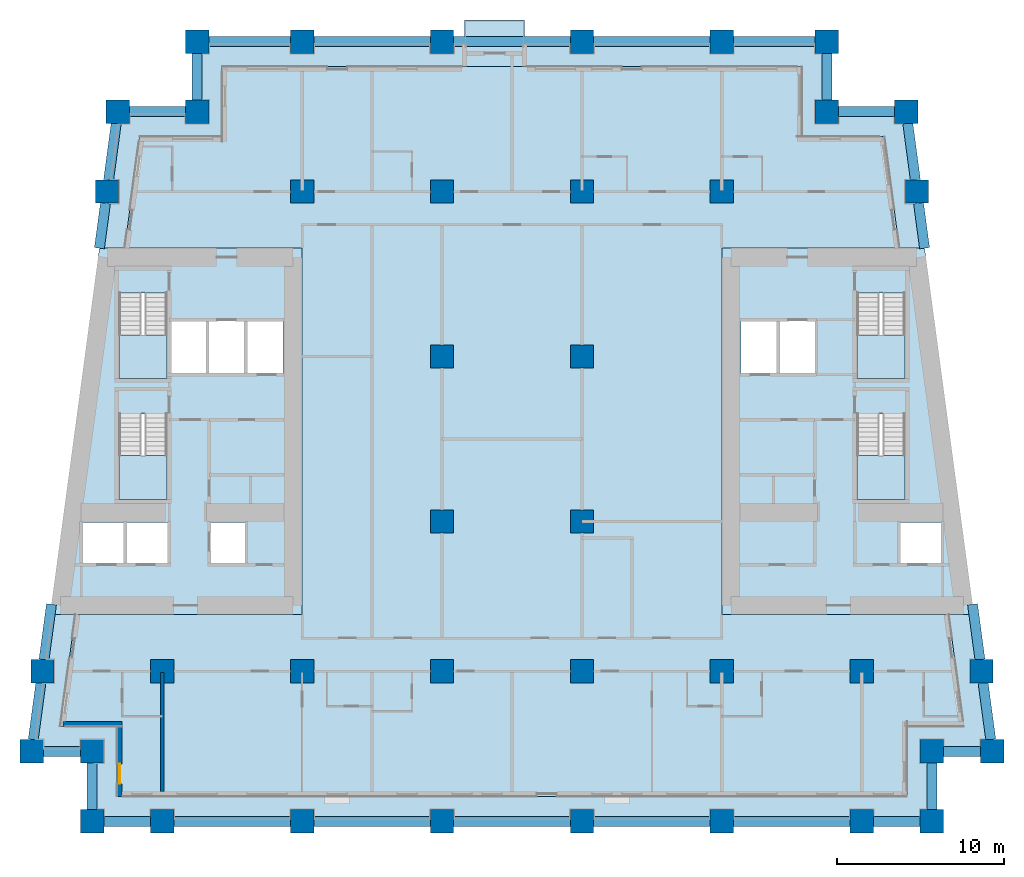
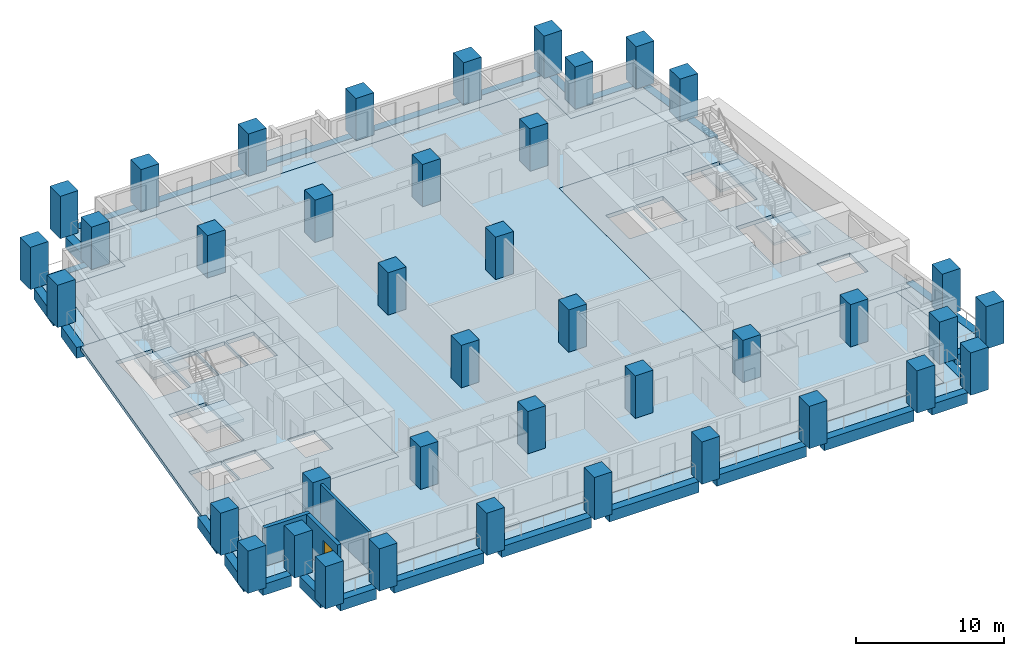
# One storey, part 1 of 12: 40 columns, 28 beams, 10 slabs, 3 walls, 1 door, 1 opening, 4 elements without a shape of their own.
"""IFC4 building model written with IfcOpenShell, lengths in metres."""

from ifc_helpers import new_model, si_unit, direction, frame, frame_2d, origin, origin_2d, place, context, subcontext, project, spatial, polyline, rectangle, outline, extrude, material, layer, layer_set, material_profile, profile_set, type_object, element, fill, aggregate, save


model = new_model("IFC4")

# Units and contexts
model_context = context("Model", 3, precision=1e-05, world=origin(), true_north=direction((0.0, 1.0)))
body_context = subcontext(model_context, "Body", "Model", "MODEL_VIEW")
ifc_project = project(units=[si_unit("LENGTHUNIT", "METRE"), si_unit("AREAUNIT", "SQUARE_METRE"), si_unit("VOLUMEUNIT", "CUBIC_METRE"), si_unit("PLANEANGLEUNIT", "RADIAN"), si_unit("MASSUNIT", "GRAM", prefix="KILO")], contexts=[model_context])

# Site, building, storey
site_placement = place(None, origin())
site = spatial("IfcSite", under=ifc_project, at=site_placement, CompositionType="ELEMENT")
building_placement = place(site_placement, origin())
building = spatial("IfcBuilding", under=site, at=building_placement, Name="Candeia Pilgrim Tower and Theatre", CompositionType="ELEMENT")
storey_placement = place(building_placement, frame((0.0, 0.0, 74.0)))
storey = spatial("IfcBuildingStorey", under=building, at=storey_placement, Name="L16", CompositionType="ELEMENT", Elevation=74.0)

# Columns
ifc_material_1 = material(Name="Concrete C80/95", Category="concrete")
ifc_material_profile_1 = material_profile(ifc_material_1, rectangle(XDim=1.39990234375, YDim=1.39990234375, at=origin_2d()))
ifc_profile_set_1 = profile_set([ifc_material_profile_1], Name="Concrete C80/95")
column_type = type_object("IfcColumnType", Name="RC 1400x1400 C80/95", PredefinedType="COLUMN", material=ifc_profile_set_1)
for number, where, z_axis, x_axis, name in (
    (1, (92.39990234375, 98.0, 0.0), (0.0, 0.0, 1.0), (1.0, 0.0, 0.0), "Column A1"),
    (2, (100.800048828125, 98.0, 0.0), (0.0, 0.0, 1.0), (1.0, 0.0, 0.0), "Column A2"),
    (3, (109.199951171875, 98.0, 0.0), (0.0, 0.0, 1.0), (1.0, 0.0, 0.0), "Column A3"),
    (4, (117.60009765625, 98.0, 0.0), (0.0, 0.0, 1.0), (1.0, 0.0, 0.0), "Column A4"),
    (5, (126.0, 98.0, 0.0), (0.0, 0.0, 1.0), (1.0, 0.0, 0.0), "Column A5"),
    (6, (134.39990234375, 98.0, 0.0), (0.0, 0.0, 1.0), (1.0, 0.0, 0.0), "Column A6"),
    (7, (88.199951171875, 98.0, 0.0), (0.0, 0.0, 1.0), (1.0, 0.0, 0.0), "Column AW"),
    (8, (138.60009765625, 98.0, 0.0), (0.0, 0.0, 1.0), (1.0, 0.0, 0.0), "Column AE"),
    (9, (88.199951171875, 102.199951171875, 0.0), (0.0, 0.0, 1.0), (1.0, 0.0, 0.0), "Column NSW"),
    (10, (138.60009765625, 102.199951171875, 0.0), (0.0, 0.0, 1.0), (1.0, 0.0, 0.0), "Column NSE"),
    (11, (94.5, 140.60009765625, 0.0), (0.0, 0.0, 1.0), (1.0, 0.0, 0.0), "Column NNW"),
    (12, (132.300048828125, 140.60009765625, 0.0), (0.0, 0.0, 1.0), (1.0, 0.0, 0.0), "Column NNE"),
    (13, (84.5654296875, 102.199951171875, 0.0), (0.0, 0.0, 1.0), (1.0, 0.0, 0.0), "Column LSW"),
    (14, (142.234619140625, 102.199951171875, 0.0), (0.0, 0.0, 1.0), (1.0, 0.0, 0.0), "Column LSE"),
    (15, (89.734619140625, 140.60009765625, 0.0), (0.0, 0.0, 1.0), (1.0, 0.0, 0.0), "Column LNW"),
    (16, (137.0654296875, 140.60009765625, 0.0), (0.0, 0.0, 1.0), (1.0, 0.0, 0.0), "Column LNE"),
    (17, (92.39990234375, 107.0, 0.0), (0.0, 0.0, 1.0), (1.0, 0.0, 0.0), "Column B1"),
    (18, (100.800048828125, 107.0, 0.0), (0.0, 0.0, 1.0), (1.0, 0.0, 0.0), "Column B2"),
    (19, (109.199951171875, 107.0, 0.0), (0.0, 0.0, 1.0), (1.0, 0.0, 0.0), "Column B3"),
    (20, (117.60009765625, 107.0, 0.0), (0.0, 0.0, 1.0), (1.0, 0.0, 0.0), "Column B4"),
    (21, (126.0, 107.0, 0.0), (0.0, 0.0, 1.0), (1.0, 0.0, 0.0), "Column B5"),
    (22, (134.39990234375, 107.0, 0.0), (0.0, 0.0, 1.0), (1.0, 0.0, 0.0), "Column B6"),
    (23, (85.21142578125, 107.0, 0.0), (0.0, 0.0, 1.0), (1.0, 0.0, 0.0), "Column BW"),
    (24, (141.58837890625, 107.0, 0.0), (0.0, 0.0, 1.0), (1.0, 0.0, 0.0), "Column BE"),
    (25, (109.199951171875, 116.0, 0.0), (0.0, 0.0, 1.0), (1.0, 0.0, 0.0), "Column C3"),
    (26, (117.60009765625, 116.0, 0.0), (0.0, 0.0, 1.0), (1.0, 0.0, 0.0), "Column C4"),
    (27, (109.199951171875, 125.89990234375, 0.0), (0.0, 0.0, 1.0), (1.0, 0.0, 0.0), "Column D3"),
    (28, (117.60009765625, 125.89990234375, 0.0), (0.0, 0.0, 1.0), (1.0, 0.0, 0.0), "Column D4"),
    (29, (100.800048828125, 135.800048828125, 0.0), (0.0, 0.0, 1.0), (1.0, 0.0, 0.0), "Column E2"),
    (30, (109.199951171875, 135.800048828125, 0.0), (0.0, 0.0, 1.0), (1.0, 0.0, 0.0), "Column E3"),
    (31, (117.60009765625, 135.800048828125, 0.0), (0.0, 0.0, 1.0), (1.0, 0.0, 0.0), "Column E4"),
    (32, (126.0, 135.800048828125, 0.0), (0.0, 0.0, 1.0), (1.0, 0.0, 0.0), "Column E5"),
    (33, (89.08837890625, 135.800048828125, 0.0), (0.0, 0.0, 1.0), (1.0, 0.0, 0.0), "Column EW"),
    (34, (137.71142578125, 135.800048828125, 0.0), (0.0, 0.0, 1.0), (1.0, 0.0, 0.0), "Column EE"),
    (35, (100.800048828125, 144.800048828125, 0.0), (0.0, 0.0, 1.0), (1.0, 0.0, 0.0), "Column F2"),
    (36, (109.199951171875, 144.800048828125, 0.0), (0.0, 0.0, 1.0), (1.0, 0.0, 0.0), "Column F3"),
    (37, (117.60009765625, 144.800048828125, 0.0), (0.0, 0.0, 1.0), (1.0, 0.0, 0.0), "Column F4"),
    (38, (126.0, 144.800048828125, 0.0), (0.0, 0.0, 1.0), (1.0, 0.0, 0.0), "Column F5"),
    (39, (94.5, 144.800048828125, 0.0), (0.0, 0.0, 1.0), (1.0, 0.0, 0.0), "Column FW"),
    (40, (132.300048828125, 144.800048828125, 0.0), (0.0, 0.0, 1.0), (1.0, 0.0, 0.0), "Column FE"),
):
    element("IfcColumn", number, at=place(storey_placement, frame(where, z_axis=z_axis, x_axis=x_axis)), inside=storey, type_object=column_type, Name=name, PredefinedType="COLUMN", context=body_context, shape_type="SweptSolid", body=[
        extrude(rectangle(XDim=1.39990234375, YDim=1.39990234375, at=origin_2d()), origin(), (0.0, 0.0, 1.0), 3.5),
    ])

# Beams
ifc_material_profile_2 = material_profile(ifc_material_1, rectangle(XDim=0.60009765625, YDim=0.89990234375, at=origin_2d()))
ifc_profile_set_2 = profile_set([ifc_material_profile_2], Name="Concrete C80/95")
beam_type = type_object("IfcBeamType", Name="RC 600x900 C80/95", PredefinedType="BEAM", material=ifc_profile_set_2)
beam_1_placement = place(storey_placement, frame((88.89990234375, 98.0, -0.449951171875), z_axis=(1.0, 0.0, 0.0), x_axis=(0.0, 1.0, 0.0)))
element("IfcBeam", 41, at=beam_1_placement, inside=storey, type_object=beam_type, Name="Spandrel beam L16-01", PredefinedType="BEAM", context=body_context, shape_type="SweptSolid", body=[
    extrude(rectangle(XDim=0.60009765625, YDim=0.89990234375, at=origin_2d()), origin(), (0.0, 0.0, 1.0), 2.800048828125),
])
for number, where, z_axis, x_axis, name in (
    (42, (93.10009765625, 98.0, -0.449951171875), (1.0, 0.0, 0.0), (0.0, 1.0, 0.0), "Spandrel beam L16-02"),
    (43, (101.5, 98.0, -0.449951171875), (1.0, 0.0, 0.0), (0.0, 1.0, 0.0), "Spandrel beam L16-03"),
    (44, (109.89990234375, 98.0, -0.449951171875), (1.0, 0.0, 0.0), (0.0, 1.0, 0.0), "Spandrel beam L16-04"),
    (45, (118.300048828125, 98.0, -0.449951171875), (1.0, 0.0, 0.0), (0.0, 1.0, 0.0), "Spandrel beam L16-05"),
    (46, (126.699951171875, 98.0, -0.449951171875), (1.0, 0.0, 0.0), (0.0, 1.0, 0.0), "Spandrel beam L16-06"),
):
    element("IfcBeam", number, at=place(storey_placement, frame(where, z_axis=z_axis, x_axis=x_axis)), inside=storey, type_object=beam_type, Name=name, PredefinedType="BEAM", context=body_context, shape_type="SweptSolid", body=[
        extrude(rectangle(XDim=0.60009765625, YDim=0.89990234375, at=origin_2d()), origin(), (0.0, 0.0, 1.0), 7.0),
    ])
beam_2_placement = place(storey_placement, frame((135.10009765625, 98.0, -0.449951171875), z_axis=(1.0, 0.0, 0.0), x_axis=(0.0, 1.0, 0.0)))
element("IfcBeam", 47, at=beam_2_placement, inside=storey, type_object=beam_type, Name="Spandrel beam L16-07", PredefinedType="BEAM", context=body_context, shape_type="SweptSolid", body=[
    extrude(rectangle(XDim=0.60009765625, YDim=0.89990234375, at=origin_2d()), origin(), (0.0, 0.0, 1.0), 2.7998046875),
])
beam_3_placement = place(storey_placement, frame((138.60009765625, 98.699951171875, -0.449951171875), z_axis=(0.0, 1.0, 0.0), x_axis=(-1.0, 0.0, 0.0)))
element("IfcBeam", 48, at=beam_3_placement, inside=storey, type_object=beam_type, Name="Spandrel beam L16-08", PredefinedType="BEAM", context=body_context, shape_type="SweptSolid", body=[
    extrude(rectangle(XDim=0.60009765625, YDim=0.89990234375, at=origin_2d()), origin(), (0.0, 0.0, 1.0), 2.800048828125),
])
beam_4_placement = place(storey_placement, frame((139.300048828125, 102.199951171875, -0.449951171875), z_axis=(1.0, 0.0, 0.0), x_axis=(0.0, 1.0, 0.0)))
element("IfcBeam", 49, at=beam_4_placement, inside=storey, type_object=beam_type, Name="Spandrel beam L16-09", PredefinedType="BEAM", context=body_context, shape_type="SweptSolid", body=[
    extrude(rectangle(XDim=0.60009765625, YDim=0.89990234375, at=origin_2d()), origin(), (0.0, 0.0, 1.0), 2.234619140625),
])
beam_5_placement = place(storey_placement, frame((142.140380859375, 102.89990234375, -0.449951171875), z_axis=(-0.133426797477, 0.991058671177, 0.0), x_axis=(-0.991058671177, -0.133426797477, 0.0)))
element("IfcBeam", 50, at=beam_5_placement, inside=storey, type_object=beam_type, Name="Spandrel beam L16-10", PredefinedType="BEAM", context=body_context, shape_type="SweptSolid", body=[
    extrude(rectangle(XDim=0.60009765625, YDim=0.89990234375, at=origin_2d()), origin(), (0.0, 0.0, 1.0), 3.430908203125),
])
beam_6_placement = place(storey_placement, frame((141.494140625, 107.699951171875, -0.449951171875), z_axis=(-0.13337488337, 0.991065659019, 0.0), x_axis=(-0.991065659019, -0.13337488337, 0.0)))
element("IfcBeam", 51, at=beam_6_placement, inside=storey, type_object=beam_type, Name="Spandrel beam L16-11", PredefinedType="BEAM", context=body_context, shape_type="SweptSolid", body=[
    extrude(rectangle(XDim=0.60009765625, YDim=0.89990234375, at=origin_2d()), origin(), (0.0, 0.0, 1.0), 3.353515625),
])
beam_7_placement = place(storey_placement, frame((138.169189453125, 132.39990234375, -0.449951171875), z_axis=(-0.133425552527, 0.991058838784, 0.0), x_axis=(-0.991058838784, -0.133425552527, 0.0)))
element("IfcBeam", 52, at=beam_7_placement, inside=storey, type_object=beam_type, Name="Spandrel beam L16-12", PredefinedType="BEAM", context=body_context, shape_type="SweptSolid", body=[
    extrude(rectangle(XDim=0.60009765625, YDim=0.89990234375, at=origin_2d()), origin(), (0.0, 0.0, 1.0), 2.724609375),
])
beam_8_placement = place(storey_placement, frame((137.6171875, 136.5, -0.449951171875), z_axis=(-0.13336630817, 0.991066813008, 0.0), x_axis=(-0.991066813008, -0.13336630817, 0.0)))
element("IfcBeam", 53, at=beam_8_placement, inside=storey, type_object=beam_type, Name="Spandrel beam L16-13", PredefinedType="BEAM", context=body_context, shape_type="SweptSolid", body=[
    extrude(rectangle(XDim=0.60009765625, YDim=0.89990234375, at=origin_2d()), origin(), (0.0, 0.0, 1.0), 3.4306640625),
])
beam_9_placement = place(storey_placement, frame((136.365478515625, 140.60009765625, -0.449951171875), z_axis=(-1.0, 0.0, 0.0), x_axis=(0.0, -1.0, 0.0)))
element("IfcBeam", 54, at=beam_9_placement, inside=storey, type_object=beam_type, Name="Spandrel beam L16-14", PredefinedType="BEAM", context=body_context, shape_type="SweptSolid", body=[
    extrude(rectangle(XDim=0.60009765625, YDim=0.89990234375, at=origin_2d()), origin(), (0.0, 0.0, 1.0), 3.365478515625),
])
beam_10_placement = place(storey_placement, frame((132.300048828125, 141.300048828125, -0.449951171875), z_axis=(0.0, 1.0, 0.0), x_axis=(-1.0, 0.0, 0.0)))
element("IfcBeam", 55, at=beam_10_placement, inside=storey, type_object=beam_type, Name="Spandrel beam L16-15", PredefinedType="BEAM", context=body_context, shape_type="SweptSolid", body=[
    extrude(rectangle(XDim=0.60009765625, YDim=0.89990234375, at=origin_2d()), origin(), (0.0, 0.0, 1.0), 2.800048828125),
])
beam_11_placement = place(storey_placement, frame((131.60009765625, 144.800048828125, -0.449951171875), z_axis=(-1.0, 0.0, 0.0), x_axis=(0.0, -1.0, 0.0)))
element("IfcBeam", 56, at=beam_11_placement, inside=storey, type_object=beam_type, Name="Spandrel beam L16-16", PredefinedType="BEAM", context=body_context, shape_type="SweptSolid", body=[
    extrude(rectangle(XDim=0.60009765625, YDim=0.89990234375, at=origin_2d()), origin(), (0.0, 0.0, 1.0), 4.900146484375),
])
for number, where, z_axis, x_axis, name in (
    (57, (125.300048828125, 144.800048828125, -0.449951171875), (-1.0, 0.0, 0.0), (0.0, -1.0, 0.0), "Spandrel beam L16-17"),
    (58, (116.89990234375, 144.800048828125, -0.449951171875), (-1.0, 0.0, 0.0), (0.0, -1.0, 0.0), "Spandrel beam L16-18"),
    (59, (108.5, 144.800048828125, -0.449951171875), (-1.0, 0.0, 0.0), (0.0, -1.0, 0.0), "Spandrel beam L16-19"),
):
    element("IfcBeam", number, at=place(storey_placement, frame(where, z_axis=z_axis, x_axis=x_axis)), inside=storey, type_object=beam_type, Name=name, PredefinedType="BEAM", context=body_context, shape_type="SweptSolid", body=[
        extrude(rectangle(XDim=0.60009765625, YDim=0.89990234375, at=origin_2d()), origin(), (0.0, 0.0, 1.0), 7.0),
    ])
beam_12_placement = place(storey_placement, frame((100.10009765625, 144.800048828125, -0.449951171875), z_axis=(-1.0, 0.0, 0.0), x_axis=(0.0, -1.0, 0.0)))
element("IfcBeam", 60, at=beam_12_placement, inside=storey, type_object=beam_type, Name="Spandrel beam L16-20", PredefinedType="BEAM", context=body_context, shape_type="SweptSolid", body=[
    extrude(rectangle(XDim=0.60009765625, YDim=0.89990234375, at=origin_2d()), origin(), (0.0, 0.0, 1.0), 4.900146484375),
])
beam_13_placement = place(storey_placement, frame((94.5, 144.10009765625, -0.449951171875), z_axis=(0.0, -1.0, 0.0), x_axis=(1.0, 0.0, 0.0)))
element("IfcBeam", 61, at=beam_13_placement, inside=storey, type_object=beam_type, Name="Spandrel beam L16-21", PredefinedType="BEAM", context=body_context, shape_type="SweptSolid", body=[
    extrude(rectangle(XDim=0.60009765625, YDim=0.89990234375, at=origin_2d()), origin(), (0.0, 0.0, 1.0), 2.800048828125),
])
beam_14_placement = place(storey_placement, frame((93.800048828125, 140.60009765625, -0.449951171875), z_axis=(-1.0, 0.0, 0.0), x_axis=(0.0, -1.0, 0.0)))
element("IfcBeam", 62, at=beam_14_placement, inside=storey, type_object=beam_type, Name="Spandrel beam L16-22", PredefinedType="BEAM", context=body_context, shape_type="SweptSolid", body=[
    extrude(rectangle(XDim=0.60009765625, YDim=0.89990234375, at=origin_2d()), origin(), (0.0, 0.0, 1.0), 3.365478515625),
])
beam_15_placement = place(storey_placement, frame((89.640380859375, 139.89990234375, -0.449951171875), z_axis=(-0.133436208017, -0.991057404185, 0.0), x_axis=(0.991057404185, -0.133436208017, 0.0)))
element("IfcBeam", 63, at=beam_15_placement, inside=storey, type_object=beam_type, Name="Spandrel beam L16-23", PredefinedType="BEAM", context=body_context, shape_type="SweptSolid", body=[
    extrude(rectangle(XDim=0.60009765625, YDim=0.89990234375, at=origin_2d()), origin(), (0.0, 0.0, 1.0), 3.4306640625),
])
beam_16_placement = place(storey_placement, frame((88.994140625, 135.10009765625, -0.449951171875), z_axis=(-0.133337538686, -0.991070684047, 0.0), x_axis=(0.991070684047, -0.133337538686, 0.0)))
element("IfcBeam", 64, at=beam_16_placement, inside=storey, type_object=beam_type, Name="Spandrel beam L16-24", PredefinedType="BEAM", context=body_context, shape_type="SweptSolid", body=[
    extrude(rectangle(XDim=0.60009765625, YDim=0.89990234375, at=origin_2d()), origin(), (0.0, 0.0, 1.0), 2.724609375),
])
beam_17_placement = place(storey_placement, frame((85.753173828125, 111.0234375, -0.449951171875), z_axis=(-0.133446390132, -0.991056033209, 0.0), x_axis=(0.991056033209, -0.133446390132, 0.0)))
element("IfcBeam", 65, at=beam_17_placement, inside=storey, type_object=beam_type, Name="Spandrel beam L16-25", PredefinedType="BEAM", context=body_context, shape_type="SweptSolid", body=[
    extrude(rectangle(XDim=0.60009765625, YDim=0.89990234375, at=origin_2d()), origin(), (0.0, 0.0, 1.0), 3.353515625),
])
beam_18_placement = place(storey_placement, frame((85.1171875, 106.300048828125, -0.449951171875), z_axis=(-0.133356902381, -0.991068078685, 0.0), x_axis=(0.991068078685, -0.133356902381, 0.0)))
element("IfcBeam", 66, at=beam_18_placement, inside=storey, type_object=beam_type, Name="Spandrel beam L16-26", PredefinedType="BEAM", context=body_context, shape_type="SweptSolid", body=[
    extrude(rectangle(XDim=0.60009765625, YDim=0.89990234375, at=origin_2d()), origin(), (0.0, 0.0, 1.0), 3.430908203125),
])
beam_19_placement = place(storey_placement, frame((85.265380859375, 102.199951171875, -0.449951171875), z_axis=(1.0, 0.0, 0.0), x_axis=(0.0, 1.0, 0.0)))
element("IfcBeam", 67, at=beam_19_placement, inside=storey, type_object=beam_type, Name="Spandrel beam L16-27", PredefinedType="BEAM", context=body_context, shape_type="SweptSolid", body=[
    extrude(rectangle(XDim=0.60009765625, YDim=0.89990234375, at=origin_2d()), origin(), (0.0, 0.0, 1.0), 2.234619140625),
])
beam_20_placement = place(storey_placement, frame((88.199951171875, 101.5, -0.449951171875), z_axis=(0.0, -1.0, 0.0), x_axis=(1.0, 0.0, 0.0)))
element("IfcBeam", 68, at=beam_20_placement, inside=storey, type_object=beam_type, Name="Spandrel beam L16-28", PredefinedType="BEAM", context=body_context, shape_type="SweptSolid", body=[
    extrude(rectangle(XDim=0.60009765625, YDim=0.89990234375, at=origin_2d()), origin(), (0.0, 0.0, 1.0), 2.800048828125),
])

# Slabs
ifc_material_2 = material(Name="Concrete C40/50", Category="concrete")
ifc_layer_1 = layer(ifc_material_2, 0.25)
ifc_layer_set_1 = layer_set([ifc_layer_1], Name="BK1 balcony slab 250")
slab_type_1 = type_object("IfcSlabType", Name="BK1 balcony slab 250", PredefinedType="USERDEFINED", material=ifc_layer_set_1)
slab_1_placement = place(storey_placement, frame((0.0, 0.0, -0.25)))
element("IfcSlab", 69, at=slab_1_placement, inside=storey, type_object=slab_type_1, Name="Balcony L16", ObjectType="BALCONY", PredefinedType="USERDEFINED", context=body_context, shape_type="SweptSolid", body=[
    extrude(outline(polyline([(110.550048828125, 144.5), (114.14990234375, 144.5), (114.14990234375, 146.10009765625), (110.550048828125, 146.10009765625), (110.550048828125, 144.5)])), origin(), (0.0, 0.0, 1.0), 0.25),
])
ifc_material_3 = material(Name="Concrete C60/75", Category="concrete")
ifc_layer_2 = layer(ifc_material_3, 0.320068359375)
ifc_layer_set_2 = layer_set([ifc_layer_2], Name="FS-CORE 320 core floor")
slab_type_2 = type_object("IfcSlabType", Name="FS-CORE 320 core floor", PredefinedType="FLOOR", material=ifc_layer_set_2)
slab_2_placement = place(storey_placement, frame((0.0, 0.0, -0.320068359375)))
element("IfcSlab", 70, at=slab_2_placement, inside=storey, type_object=slab_type_2, Name="Core floor W L16", PredefinedType="FLOOR", context=body_context, shape_type="SweptSolid", body=[
    extrude(outline(polyline([(100.800048828125, 132.39990234375), (100.800048828125, 110.39990234375), (85.669189453125, 110.39990234375), (88.630859375, 132.39990234375), (100.800048828125, 132.39990234375)]), holes=[polyline([(97.458984375, 128.050048828125), (97.458984375, 124.85009765625), (99.64990234375, 124.85009765625), (99.64990234375, 128.050048828125), (97.458984375, 128.050048828125)]), polyline([(95.277099609375, 115.949951171875), (95.277099609375, 113.449951171875), (97.41357421875, 113.449951171875), (97.41357421875, 115.949951171875), (95.277099609375, 115.949951171875)]), polyline([(95.16796875, 128.050048828125), (95.16796875, 124.85009765625), (97.35888671875, 124.85009765625), (97.35888671875, 128.050048828125), (95.16796875, 128.050048828125)]), polyline([(92.876953125, 128.050048828125), (92.876953125, 124.85009765625), (95.068115234375, 124.85009765625), (95.068115234375, 128.050048828125), (92.876953125, 128.050048828125)]), polyline([(90.228515625, 115.949951171875), (90.228515625, 113.449951171875), (92.777099609375, 113.449951171875), (92.777099609375, 115.949951171875), (90.228515625, 115.949951171875)]), polyline([(89.802001953125, 122.455078125), (89.802001953125, 117.324951171875), (92.701904296875, 117.324951171875), (92.701904296875, 122.455078125), (89.802001953125, 122.455078125)]), polyline([(89.802001953125, 129.705078125), (89.802001953125, 124.574951171875), (92.701904296875, 124.574951171875), (92.701904296875, 129.705078125), (89.802001953125, 129.705078125)]), polyline([(87.580078125, 115.949951171875), (87.580078125, 113.449951171875), (90.12841796875, 113.449951171875), (90.12841796875, 115.949951171875), (87.580078125, 115.949951171875)])]), origin(), (0.0, 0.0, 1.0), 0.320068359375),
])
slab_3_placement = place(storey_placement, frame((0.0, 0.0, -0.320068359375)))
element("IfcSlab", 71, at=slab_3_placement, inside=storey, type_object=slab_type_2, Name="Core floor E L16", PredefinedType="FLOOR", context=body_context, shape_type="SweptSolid", body=[
    extrude(outline(polyline([(138.169189453125, 132.39990234375), (141.130859375, 110.39990234375), (126.0, 110.39990234375), (126.0, 132.39990234375), (138.169189453125, 132.39990234375)]), holes=[polyline([(136.67138671875, 115.949951171875), (136.67138671875, 113.449951171875), (139.219970703125, 113.449951171875), (139.219970703125, 115.949951171875), (136.67138671875, 115.949951171875)]), polyline([(134.097900390625, 117.324951171875), (136.998046875, 117.324951171875), (136.998046875, 122.455078125), (134.097900390625, 122.455078125), (134.097900390625, 117.324951171875)]), polyline([(134.097900390625, 129.705078125), (134.097900390625, 124.574951171875), (136.998046875, 124.574951171875), (136.998046875, 129.705078125), (134.097900390625, 129.705078125)]), polyline([(131.632080078125, 128.050048828125), (129.44091796875, 128.050048828125), (129.44091796875, 124.85009765625), (131.632080078125, 124.85009765625), (131.632080078125, 128.050048828125)]), polyline([(127.14990234375, 128.050048828125), (127.14990234375, 124.85009765625), (129.341064453125, 124.85009765625), (129.341064453125, 128.050048828125), (127.14990234375, 128.050048828125)])]), origin(), (0.0, 0.0, 1.0), 0.320068359375),
])
ifc_material_4 = material(Name="Concrete C50/60", Category="concrete")
ifc_layer_3 = layer(ifc_material_4, 0.320068359375)
ifc_layer_set_3 = layer_set([ifc_layer_3], Name="Floor slab 320 C50/60")
slab_type_3 = type_object("IfcSlabType", Name="Floor slab 320 C50/60", PredefinedType="FLOOR", material=ifc_layer_set_3)
slab_4_placement = place(storey_placement, frame((0.0, 0.0, -0.320068359375)))
element("IfcSlab", 72, at=slab_4_placement, inside=storey, type_object=slab_type_3, Name="Floor slab L16", PredefinedType="FLOOR", context=body_context, shape_type="SweptSolid", body=[
    extrude(outline(polyline([(96.0, 139.10009765625), (96.0, 143.300048828125), (130.800048828125, 143.300048828125), (130.800048828125, 139.10009765625), (135.753662109375, 139.10009765625), (136.65576171875, 132.39990234375), (126.0, 132.39990234375), (126.0, 110.39990234375), (139.6171875, 110.39990234375), (140.51904296875, 103.699951171875), (137.10009765625, 103.699951171875), (137.10009765625, 99.5), (89.699951171875, 99.5), (89.699951171875, 103.699951171875), (86.28076171875, 103.699951171875), (87.182861328125, 110.39990234375), (100.800048828125, 110.39990234375), (100.800048828125, 132.39990234375), (90.144287109375, 132.39990234375), (91.046142578125, 139.10009765625), (96.0, 139.10009765625)])), origin(), (0.0, 0.0, 1.0), 0.320068359375),
])
ifc_layer_4 = layer(ifc_material_2, 0.25)
ifc_layer_set_4 = layer_set([ifc_layer_4], Name="Loggia slab 250 C40/50")
slab_type_4 = type_object("IfcSlabType", Name="Loggia slab 250 C40/50", PredefinedType="FLOOR", material=ifc_layer_set_4)
slab_5_placement = place(storey_placement, frame((0.0, 0.0, -0.25)))
element("IfcSlab", 73, at=slab_5_placement, inside=storey, type_object=slab_type_4, Name="Loggia slab L16 1", PredefinedType="FLOOR", context=body_context, shape_type="SweptSolid", body=[
    extrude(outline(polyline([(87.182861328125, 110.39990234375), (86.28076171875, 103.699951171875), (89.699951171875, 103.699951171875), (89.699951171875, 99.5), (137.10009765625, 99.5), (137.10009765625, 103.699951171875), (140.51904296875, 103.699951171875), (139.6171875, 110.39990234375), (140.828125, 110.39990234375), (141.8916015625, 102.5), (138.300048828125, 102.5), (138.300048828125, 98.300048828125), (88.5, 98.300048828125), (88.5, 102.5), (84.908447265625, 102.5), (85.971923828125, 110.39990234375), (87.182861328125, 110.39990234375)])), origin(), (0.0, 0.0, 1.0), 0.25),
])
slab_6_placement = place(storey_placement, frame((0.0, 0.0, -0.25)))
element("IfcSlab", 74, at=slab_6_placement, inside=storey, type_object=slab_type_4, Name="Loggia slab L16 2", PredefinedType="FLOOR", context=body_context, shape_type="SweptSolid", body=[
    extrude(outline(polyline([(136.65576171875, 132.39990234375), (135.753662109375, 139.10009765625), (130.800048828125, 139.10009765625), (130.800048828125, 143.300048828125), (96.0, 143.300048828125), (96.0, 139.10009765625), (91.046142578125, 139.10009765625), (90.144287109375, 132.39990234375), (88.93359375, 132.39990234375), (89.996826171875, 140.300048828125), (94.800048828125, 140.300048828125), (94.800048828125, 144.5), (132.0, 144.5), (132.0, 140.300048828125), (136.802978515625, 140.300048828125), (137.866455078125, 132.39990234375), (136.65576171875, 132.39990234375)])), origin(), (0.0, 0.0, 1.0), 0.25),
])

# Stair, slab
stair_type = type_object("IfcStairType", Name="ST-TWR dog-leg escape stair", PredefinedType="HALF_TURN_STAIR", material=ifc_material_2)
stair_1_placement = place(storey_placement, origin())
stair_1 = element("IfcStair", 75, at=stair_1_placement, inside=storey, type_object=stair_type, Name="L16 Escape stair ST1", PredefinedType="HALF_TURN_STAIR")
ifc_layer_5 = layer(ifc_material_2, 0.199951171875)
ifc_layer_set_5 = layer_set([ifc_layer_5], Name="SL-LANDING stair landing")
slab_type_5 = type_object("IfcSlabType", Name="SL-LANDING stair landing", PredefinedType="LANDING", material=ifc_layer_set_5)
slab_7_placement = place(storey_placement, frame((0.0, 0.0, 1.550048828125)))
slab_7 = element("IfcSlab", 76, at=slab_7_placement, type_object=slab_type_5, Name="ST1 landing 1", PredefinedType="LANDING", context=body_context, shape_type="SweptSolid", body=[
    extrude(outline(polyline([(89.802001953125, 119.955078125), (89.802001953125, 117.324951171875), (92.701904296875, 117.324951171875), (92.701904296875, 119.955078125), (89.802001953125, 119.955078125)])), origin(), (0.0, 0.0, 1.0), 0.199951171875),
])
aggregate(stair_1, [slab_7])

stair_2_placement = place(storey_placement, origin())
stair_2 = element("IfcStair", 77, at=stair_2_placement, inside=storey, type_object=stair_type, Name="L16 Escape stair ST2", PredefinedType="HALF_TURN_STAIR")
slab_8_placement = place(storey_placement, frame((0.0, 0.0, 1.550048828125)))
slab_8 = element("IfcSlab", 78, at=slab_8_placement, type_object=slab_type_5, Name="ST2 landing 1", PredefinedType="LANDING", context=body_context, shape_type="SweptSolid", body=[
    extrude(outline(polyline([(89.802001953125, 127.205078125), (89.802001953125, 124.574951171875), (92.701904296875, 124.574951171875), (92.701904296875, 127.205078125), (89.802001953125, 127.205078125)])), origin(), (0.0, 0.0, 1.0), 0.199951171875),
])
aggregate(stair_2, [slab_8])

stair_3_placement = place(storey_placement, origin())
stair_3 = element("IfcStair", 79, at=stair_3_placement, inside=storey, type_object=stair_type, Name="L16 Escape stair ST3", PredefinedType="HALF_TURN_STAIR")
slab_9_placement = place(storey_placement, frame((0.0, 0.0, 1.550048828125)))
slab_9 = element("IfcSlab", 80, at=slab_9_placement, type_object=slab_type_5, Name="ST3 landing 1", PredefinedType="LANDING", context=body_context, shape_type="SweptSolid", body=[
    extrude(outline(polyline([(134.097900390625, 119.955078125), (134.097900390625, 117.324951171875), (136.998046875, 117.324951171875), (136.998046875, 119.955078125), (134.097900390625, 119.955078125)])), origin(), (0.0, 0.0, 1.0), 0.199951171875),
])
aggregate(stair_3, [slab_9])

stair_4_placement = place(storey_placement, origin())
stair_4 = element("IfcStair", 81, at=stair_4_placement, inside=storey, type_object=stair_type, Name="L16 Escape stair ST4", PredefinedType="HALF_TURN_STAIR")
slab_10_placement = place(storey_placement, frame((0.0, 0.0, 1.550048828125)))
slab_10 = element("IfcSlab", 82, at=slab_10_placement, type_object=slab_type_5, Name="ST4 landing 1", PredefinedType="LANDING", context=body_context, shape_type="SweptSolid", body=[
    extrude(outline(polyline([(134.097900390625, 127.205078125), (134.097900390625, 124.574951171875), (136.998046875, 124.574951171875), (136.998046875, 127.205078125), (134.097900390625, 127.205078125)])), origin(), (0.0, 0.0, 1.0), 0.199951171875),
])
aggregate(stair_4, [slab_10])

# Wall
ifc_material_5 = material(Name="Ceramic block masonry", Category="masonry")
ifc_layer_6 = layer(ifc_material_5, 0.300048828125)
ifc_layer_set_6 = layer_set([ifc_layer_6], Name="EW1 glazing-line wall 300")
wall_type_1 = type_object("IfcWallType", Name="EW1 glazing-line wall 300", PredefinedType="SOLIDWALL", material=ifc_layer_set_6)
wall_1_placement = place(storey_placement, frame((86.452392578125, 103.85009765625, 0.0), z_axis=(0.0, 0.0, 1.0), x_axis=(1.0, 0.0, 0.0)))
element("IfcWall", 83, at=wall_1_placement, inside=storey, type_object=wall_type_1, Name="External wall L16-10.0", PredefinedType="SOLIDWALL", context=body_context, shape_type="SweptSolid", body=[
    extrude(rectangle(XDim=3.547607421875, YDim=0.300048828125, at=frame_2d((1.77392578125, 0.0))), origin(), (0.0, 0.0, 1.0), 3.179931640625),
])

# Wall, opening, door
wall_2_placement = place(storey_placement, frame((89.85009765625, 103.85009765625, 0.0), z_axis=(0.0, 0.0, 1.0), x_axis=(0.0, -1.0, 0.0)))
wall_2 = element("IfcWall", 84, at=wall_2_placement, inside=storey, type_object=wall_type_1, Name="External wall L16-11.0", PredefinedType="SOLIDWALL", context=body_context, shape_type="SweptSolid", body=[
    extrude(rectangle(XDim=4.35009765625, YDim=0.300048828125, at=frame_2d((2.175048828125, 0.0))), origin(), (0.0, 0.0, 1.0), 3.179931640625),
])
opening_placement = place(wall_2_placement, frame((2.39990234375, 0.0, 0.0)))
opening = element("IfcOpeningElement", 85, at=opening_placement, cuts=wall_2, Name="Opening L16-ED183", PredefinedType="OPENING", context=body_context, shape_type="SweptSolid", body=[
    extrude(rectangle(XDim=1.199951171875, YDim=2.39990234375, at=frame_2d((0.60009765625, 1.199951171875))), frame((0.0, 0.16015625, 0.0), z_axis=(0.0, -1.0, 0.0), x_axis=(1.0, 0.0, 0.0)), (0.0, 0.0, 1.0), 0.320068359375),
])
ifc_material_6 = material(Name="Aluminium framed glazed door", Category="aluminium")
door_type = type_object("IfcDoorType", Name="Loggia door 1200x2400", OperationType="DOUBLE_DOOR_SINGLE_SWING", PredefinedType="DOOR", material=ifc_material_6)
door_placement = place(opening_placement, origin())
door = element("IfcDoor", 86, at=door_placement, inside=storey, type_object=door_type, Name="Loggia door L16-ED183", OperationType="DOUBLE_DOOR_SINGLE_SWING", OverallHeight=2.39990234375, OverallWidth=1.199951171875, PredefinedType="DOOR", context=body_context, shape_type="SweptSolid", body=[
    extrude(rectangle(XDim=1.199951171875, YDim=2.39990234375, at=frame_2d((0.60009765625, 1.199951171875))), frame((0.0, 0.02490234375, 0.0), z_axis=(0.0, -1.0, 0.0), x_axis=(1.0, 0.0, 0.0)), (0.0, 0.0, 1.0), 0.050048828125),
])
fill(opening, door)

# Wall
ifc_material_7 = material(Name="Gypsum board partition on steel studs", Category="steel")
ifc_layer_7 = layer(ifc_material_7, 0.199951171875)
ifc_layer_set_7 = layer_set([ifc_layer_7], Name="PW-200 party wall")
wall_type_2 = type_object("IfcWallType", Name="PW-200 party wall", PredefinedType="PARTITIONING", material=ifc_layer_set_7)
wall_3_placement = place(storey_placement, frame((92.39990234375, 99.7900390625, 0.0), z_axis=(0.0, 0.0, 1.0), x_axis=(0.0, 1.0, 0.0)))
element("IfcWall", 87, at=wall_3_placement, inside=storey, type_object=wall_type_2, Name="Party wall L16-049", PredefinedType="PARTITIONING", context=body_context, shape_type="SweptSolid", body=[
    extrude(rectangle(XDim=7.135009765625, YDim=0.199951171875, at=frame_2d((3.5673828125, 0.0))), origin(), (0.0, 0.0, 1.0), 3.179931640625),
])

save(model, "model.ifc")
